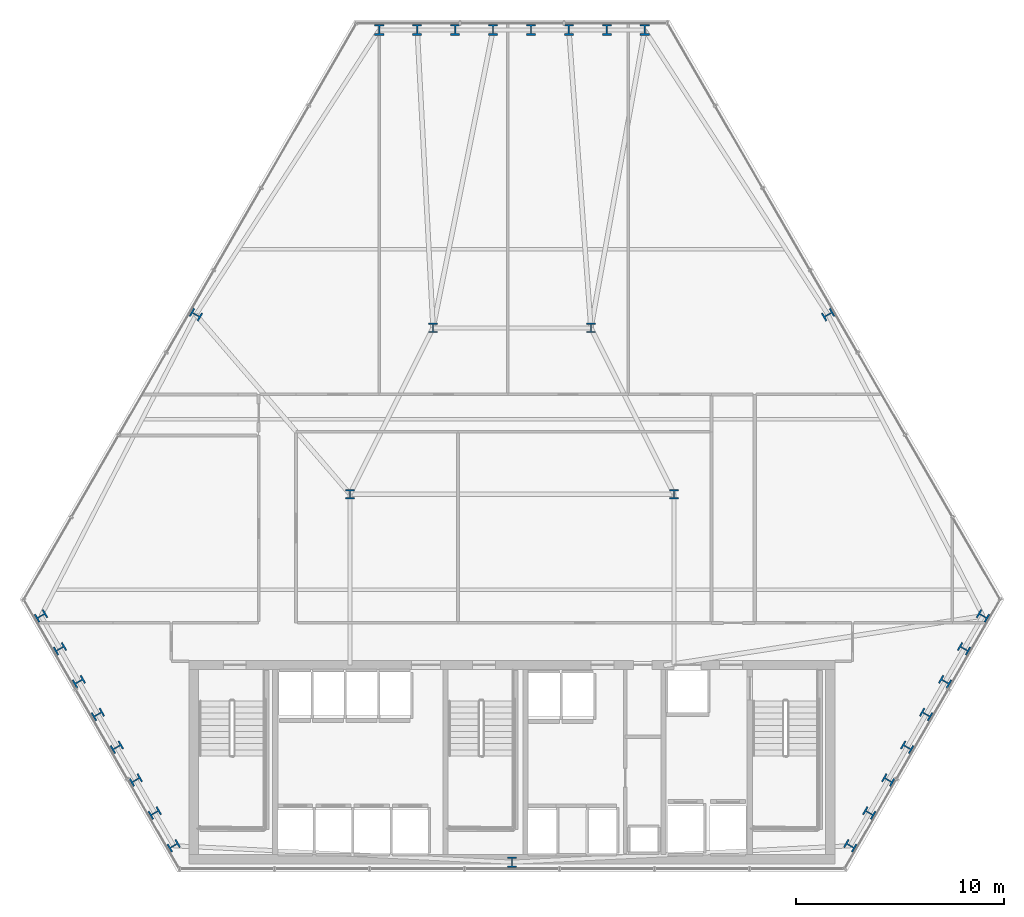
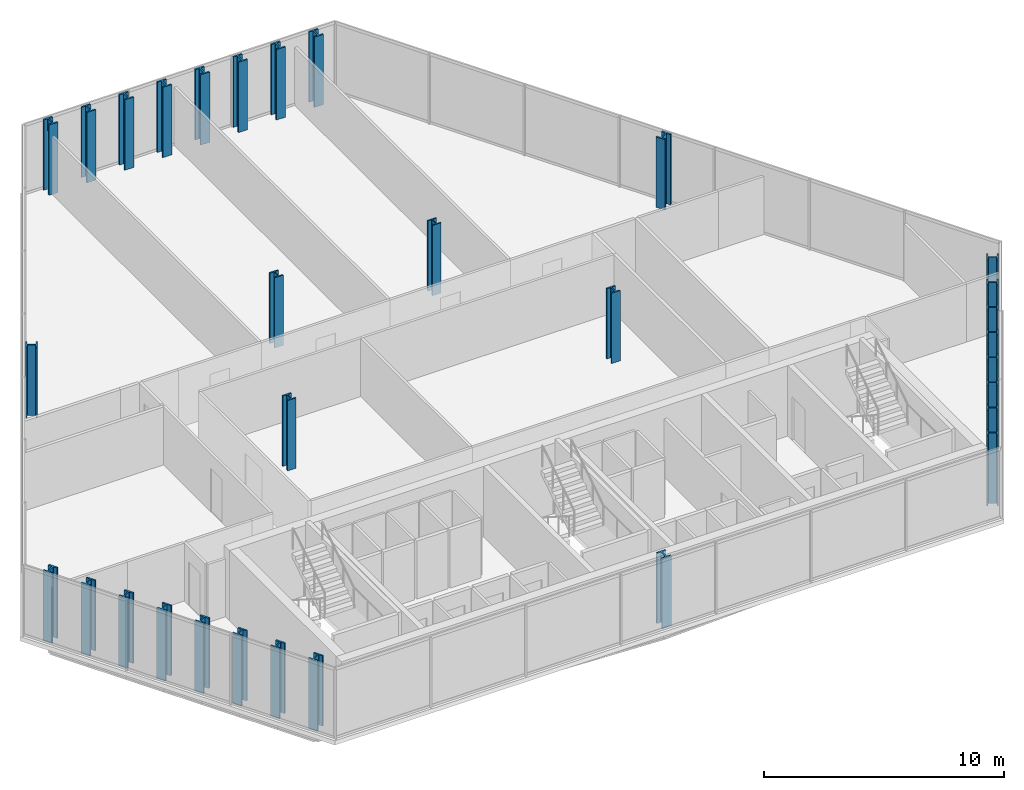
# One storey, part 1 of 32: 31 columns.
"""IFC4 building model written with IfcOpenShell, lengths in metres."""

from ifc_helpers import new_model, si_unit, direction, frame, origin, origin_2d, place, context, subcontext, project, spatial, i_section, extrude, material, material_profile, profile_set, type_object, element, save


model = new_model("IFC4")

# Units and contexts
model_context = context("Model", 3, precision=1e-05, world=origin(), true_north=direction((0.0, 1.0)))
body_context = subcontext(model_context, "Body", "Model", "MODEL_VIEW")
ifc_project = project(units=[si_unit("LENGTHUNIT", "METRE"), si_unit("AREAUNIT", "SQUARE_METRE"), si_unit("VOLUMEUNIT", "CUBIC_METRE"), si_unit("PLANEANGLEUNIT", "RADIAN"), si_unit("MASSUNIT", "GRAM", prefix="KILO")], contexts=[model_context])

# Site, building, storey
site_placement = place(None, origin())
site = spatial("IfcSite", under=ifc_project, at=site_placement, CompositionType="ELEMENT")
building_placement = place(site_placement, origin())
building = spatial("IfcBuilding", under=site, at=building_placement, Name="Ndaravel Arena Tower", CompositionType="ELEMENT")
storey_placement = place(building_placement, frame((0.0, 0.0, 74.0)))
storey = spatial("IfcBuildingStorey", under=building, at=storey_placement, Name="L16", CompositionType="ELEMENT", Elevation=74.0)

# Columns
ifc_material_1 = material(Name="Steel S460", Category="steel")
ifc_material_profile_1 = material_profile(ifc_material_1, i_section(OverallWidth=0.41845703125, OverallDepth=0.45556640625, WebThickness=0.0419921875, FlangeThickness=0.0673828125, FilletRadius=0.01513671875, at=origin_2d()), Name="UC 356x406x551")
ifc_profile_set_1 = profile_set([ifc_material_profile_1], Name="Steel S460")
column_type_1 = type_object("IfcColumnType", Name="COL-INT-UC551", PredefinedType="COLUMN", material=ifc_profile_set_1)
for number, where, z_axis, x_axis, name in (
    (1, (34.199951171875, 23.199951171875, 0.0), (0.0, 0.0, 1.0), (1.0, 0.0, 0.0), "L16 Interior Spine Column IC-01"),
    (2, (49.800048828125, 23.199951171875, 0.0), (0.0, 0.0, 1.0), (1.0, 0.0, 0.0), "L16 Interior Spine Column IC-02"),
    (3, (38.199951171875, 31.199951171875, 0.0), (0.0, 0.0, 1.0), (1.0, 0.0, 0.0), "L16 Interior Spine Column IC-03"),
    (4, (45.800048828125, 31.199951171875, 0.0), (0.0, 0.0, 1.0), (1.0, 0.0, 0.0), "L16 Interior Spine Column IC-04"),
):
    element("IfcColumn", number, at=place(storey_placement, frame(where, z_axis=z_axis, x_axis=x_axis)), inside=storey, type_object=column_type_1, Name=name, PredefinedType="COLUMN", context=body_context, shape_type="SweptSolid", body=[
        extrude(i_section(OverallWidth=0.41845703125, OverallDepth=0.45556640625, WebThickness=0.0419921875, FlangeThickness=0.0673828125, FilletRadius=0.01513671875, at=origin_2d()), origin(), (0.0, 0.0, 1.0), 3.580078125),
    ])
ifc_material_2 = material(Name="Steel S460", Category="steel")
ifc_material_profile_2 = material_profile(ifc_material_2, i_section(OverallWidth=0.43701171875, OverallDepth=0.513916015625, WebThickness=0.060546875, FlangeThickness=0.076904296875, FilletRadius=0.014892578125, at=origin_2d()), Name="HD 400x818")
ifc_profile_set_2 = profile_set([ifc_material_profile_2], Name="Steel S460")
column_type_2 = type_object("IfcColumnType", Name="COL-TUBE-HD818", PredefinedType="COLUMN", material=ifc_profile_set_2)
for number, where, z_axis, x_axis, name in (
    (5, (42.0, 5.47998046875, 0.0), (0.0, 0.0, 1.0), (1.0, 0.0, 0.0), "L16 Framed Tube Column TC-01"),
    (6, (58.28662109375, 6.2705078125, 0.0), (0.0, 0.0, 1.0), (0.5, 0.866025403784, 0.0), "L16 Framed Tube Column TC-02"),
    (7, (59.19921875, 7.851318359375, 0.0), (0.0, 0.0, 1.0), (0.5, 0.866025403784, 0.0), "L16 Framed Tube Column TC-03"),
    (8, (60.11181640625, 9.43212890625, 0.0), (0.0, 0.0, 1.0), (0.5, 0.866025403784, 0.0), "L16 Framed Tube Column TC-04"),
    (9, (61.024658203125, 11.01318359375, 0.0), (0.0, 0.0, 1.0), (0.5, 0.866025403784, 0.0), "L16 Framed Tube Column TC-05"),
    (10, (61.9375, 12.593994140625, 0.0), (0.0, 0.0, 1.0), (0.5, 0.866025403784, 0.0), "L16 Framed Tube Column TC-06"),
    (11, (62.85009765625, 14.1748046875, 0.0), (0.0, 0.0, 1.0), (0.5, 0.866025403784, 0.0), "L16 Framed Tube Column TC-07"),
    (12, (63.7626953125, 15.755859375, 0.0), (0.0, 0.0, 1.0), (0.5, 0.866025403784, 0.0), "L16 Framed Tube Column TC-08"),
    (13, (64.675537109375, 17.336669921875, 0.0), (0.0, 0.0, 1.0), (0.5, 0.866025403784, 0.0), "L16 Framed Tube Column TC-09"),
    (14, (57.216796875, 31.836181640625, 0.0), (0.0, 0.0, 1.0), (-0.5, 0.866025403784, 0.0), "L16 Framed Tube Column TC-10"),
    (15, (48.38916015625, 45.545654296875, 0.0), (0.0, 0.0, 1.0), (1.0, 0.0, 0.0), "L16 Framed Tube Column TC-11"),
    (16, (46.563720703125, 45.545654296875, 0.0), (0.0, 0.0, 1.0), (1.0, 0.0, 0.0), "L16 Framed Tube Column TC-12"),
    (17, (44.73828125, 45.545654296875, 0.0), (0.0, 0.0, 1.0), (1.0, 0.0, 0.0), "L16 Framed Tube Column TC-13"),
    (18, (42.91259765625, 45.545654296875, 0.0), (0.0, 0.0, 1.0), (1.0, 0.0, 0.0), "L16 Framed Tube Column TC-14"),
    (19, (41.08740234375, 45.545654296875, 0.0), (0.0, 0.0, 1.0), (1.0, 0.0, 0.0), "L16 Framed Tube Column TC-15"),
    (20, (39.26171875, 45.545654296875, 0.0), (0.0, 0.0, 1.0), (1.0, 0.0, 0.0), "L16 Framed Tube Column TC-16"),
    (21, (37.436279296875, 45.545654296875, 0.0), (0.0, 0.0, 1.0), (1.0, 0.0, 0.0), "L16 Framed Tube Column TC-17"),
    (22, (35.61083984375, 45.545654296875, 0.0), (0.0, 0.0, 1.0), (1.0, 0.0, 0.0), "L16 Framed Tube Column TC-18"),
    (23, (26.783203125, 31.836181640625, 0.0), (0.0, 0.0, 1.0), (0.5, 0.866025403784, 0.0), "L16 Framed Tube Column TC-19"),
    (24, (19.324462890625, 17.336669921875, 0.0), (0.0, 0.0, 1.0), (-0.5, 0.866025403784, 0.0), "L16 Framed Tube Column TC-20"),
    (25, (20.2373046875, 15.755859375, 0.0), (0.0, 0.0, 1.0), (-0.5, 0.866025403784, 0.0), "L16 Framed Tube Column TC-21"),
    (26, (21.14990234375, 14.1748046875, 0.0), (0.0, 0.0, 1.0), (-0.5, 0.866025403784, 0.0), "L16 Framed Tube Column TC-22"),
    (27, (22.0625, 12.593994140625, 0.0), (0.0, 0.0, 1.0), (-0.5, 0.866025403784, 0.0), "L16 Framed Tube Column TC-23"),
    (28, (22.975341796875, 11.01318359375, 0.0), (0.0, 0.0, 1.0), (-0.5, 0.866025403784, 0.0), "L16 Framed Tube Column TC-24"),
    (29, (23.88818359375, 9.43212890625, 0.0), (0.0, 0.0, 1.0), (-0.5, 0.866025403784, 0.0), "L16 Framed Tube Column TC-25"),
    (30, (24.80078125, 7.851318359375, 0.0), (0.0, 0.0, 1.0), (-0.5, 0.866025403784, 0.0), "L16 Framed Tube Column TC-26"),
    (31, (25.71337890625, 6.2705078125, 0.0), (0.0, 0.0, 1.0), (-0.5, 0.866025403784, 0.0), "L16 Framed Tube Column TC-27"),
):
    element("IfcColumn", number, at=place(storey_placement, frame(where, z_axis=z_axis, x_axis=x_axis)), inside=storey, type_object=column_type_2, Name=name, PredefinedType="COLUMN", context=body_context, shape_type="SweptSolid", body=[
        extrude(i_section(OverallWidth=0.43701171875, OverallDepth=0.513916015625, WebThickness=0.060546875, FlangeThickness=0.076904296875, FilletRadius=0.014892578125, at=origin_2d()), origin(), (0.0, 0.0, 1.0), 3.580078125),
    ])

save(model, "model.ifc")
